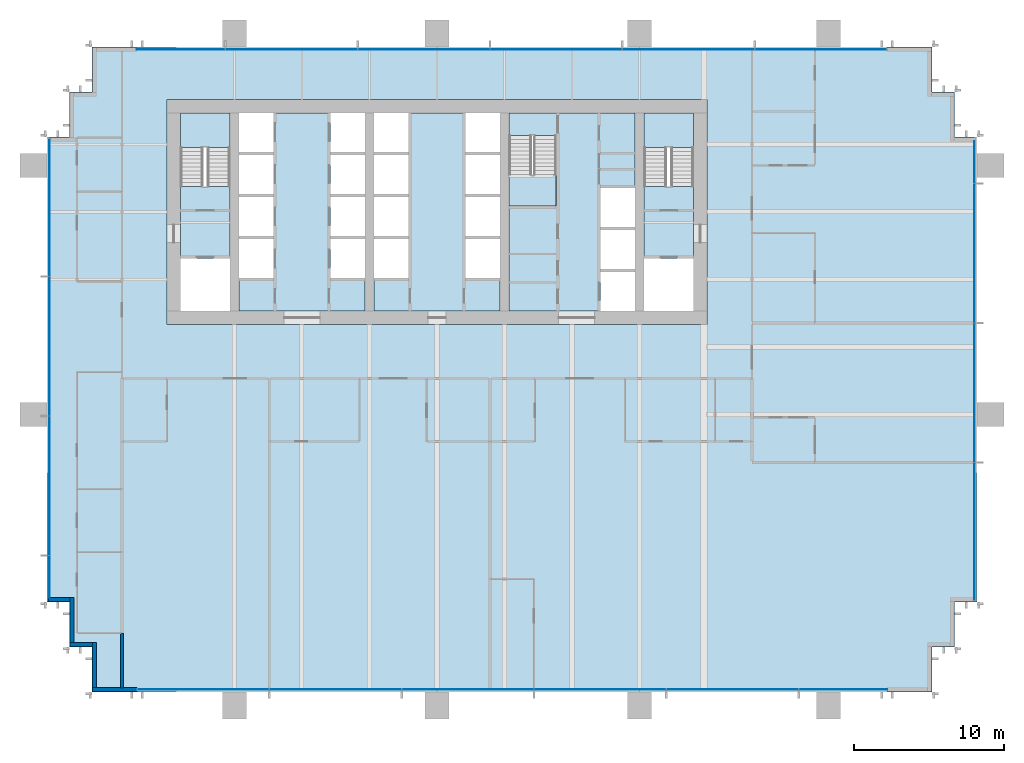
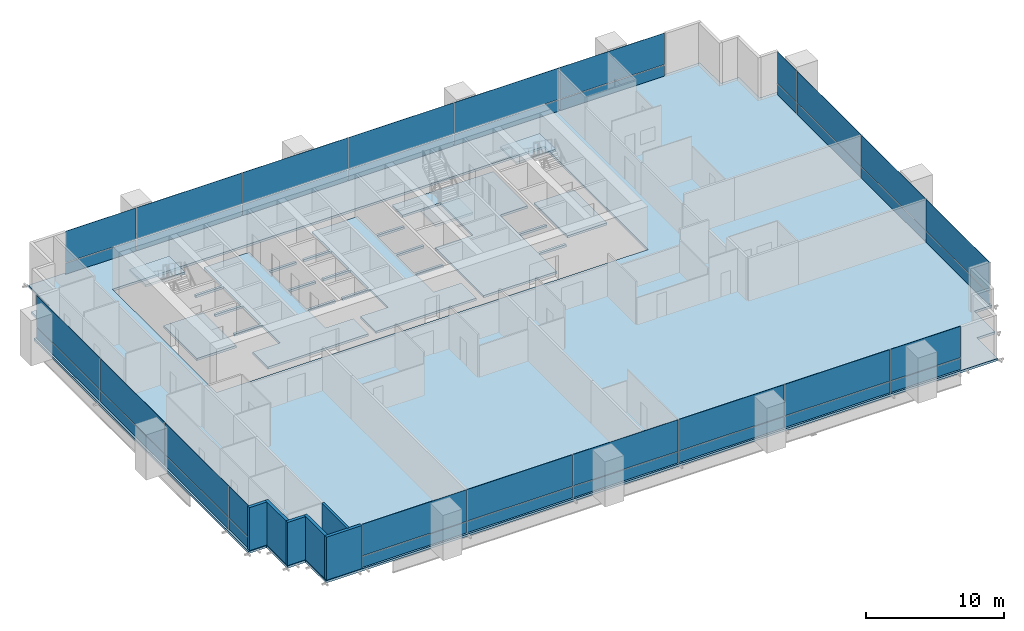
# One storey, part 11 of 17: 40 plates, 9 slabs, 6 walls, 7 elements without a shape of their own.
"""IFC4 building model written with IfcOpenShell, lengths in metres."""

import ifcopenshell
import ifcopenshell.guid

model = None  # the IFC model being written
_history = None  # IfcOwnerHistory: only IFC2X3 demands one
_inside = {}  # id of a spatial element -> (the spatial element, [elements in it])
_under = {}  # id of a project, library or spatial element -> (it, [spatial elements below it])
_declared = {}  # id of a project -> (the project, [libraries it declares])
_typed = {}  # id of a type object -> (the type object, [elements of that type])
_made_of = {}  # id of a material, layer set ... -> (it, [elements and type objects made of it])


def new_model(schema):
    """Start an empty IFC model of exactly this schema.

    Asked for "IFC4X3", IfcOpenShell would pick the latest addendum, in which some entities
    have other attributes; the version numbers below select the first issue.
    IFC2X3 requires an IfcOwnerHistory on every rooted entity: one is made here for all.
    """
    global model, _history
    if schema == "IFC4X3":
        model = ifcopenshell.file(schema_version=(4, 3, 0, 0))
    else:
        model = ifcopenshell.file(schema=schema)
    _inside.clear()
    _under.clear()
    _declared.clear()
    _typed.clear()
    _made_of.clear()
    _history = None
    if model.schema == "IFC2X3":
        org = make("IfcOrganization", Name="unknown")
        user = make(
            "IfcPersonAndOrganization",
            ThePerson=make("IfcPerson", FamilyName="unknown"),
            TheOrganization=org,
        )
        app = make(
            "IfcApplication",
            ApplicationDeveloper=org,
            Version="unknown",
            ApplicationFullName="unknown",
            ApplicationIdentifier="unknown",
        )
        _history = make(
            "IfcOwnerHistory",
            OwningUser=user,
            OwningApplication=app,
            ChangeAction="ADDED",
            CreationDate=0,
        )
    return model


def make(cls, **values):
    """One entity of the class cls with the attributes given. An attribute that is None is left unset."""
    return model.create_entity(
        cls, **{name: value for name, value in values.items() if value is not None}
    )


def rooted(cls, **values):
    """An entity with a GlobalId (a new one), such as an element, a storey or a relation."""
    return make(cls, GlobalId=ifcopenshell.guid.new(), OwnerHistory=_history, **values)


def si_unit(unit_type, name, prefix=None):
    """IfcSIUnit, for example si_unit("LENGTHUNIT", "METRE", prefix="MILLI")."""
    return make("IfcSIUnit", UnitType=unit_type, Prefix=prefix, Name=name)


def assignment(units):
    """IfcUnitAssignment: the units of a project."""
    return None if units is None else make("IfcUnitAssignment", Units=units)


def point(xyz):
    """IfcCartesianPoint."""
    return None if xyz is None else make("IfcCartesianPoint", Coordinates=xyz)


def direction(xyz):
    """IfcDirection."""
    return None if xyz is None else make("IfcDirection", DirectionRatios=xyz)


def frame(location, z_axis=None, x_axis=None):
    """IfcAxis2Placement3D, a coordinate frame: its origin and axes. An axis left out is left unset."""
    return make(
        "IfcAxis2Placement3D",
        Location=point(location),
        Axis=direction(z_axis),
        RefDirection=direction(x_axis),
    )


def frame_2d(location, x_axis=None):
    """IfcAxis2Placement2D, a coordinate frame in the plane: its origin and x axis."""
    return make(
        "IfcAxis2Placement2D", Location=point(location), RefDirection=direction(x_axis)
    )


def origin():
    """The frame at (0, 0, 0) with its axes left unset."""
    return frame((0.0, 0.0, 0.0))


def origin_2d():
    """The frame at (0, 0) in the plane with its x axis left unset."""
    return frame_2d((0.0, 0.0))


def place(relative_to, where):
    """IfcLocalPlacement: puts the frame where relative to a parent placement (None: the world)."""
    return make(
        "IfcLocalPlacement", PlacementRelTo=relative_to, RelativePlacement=where
    )


def context(
    kind, dimensions, precision=None, world=None, true_north=None, identifier=None
):
    """IfcGeometricRepresentationContext, for example the 3D "Model" context."""
    return make(
        "IfcGeometricRepresentationContext",
        ContextIdentifier=identifier,
        ContextType=kind,
        CoordinateSpaceDimension=dimensions,
        Precision=precision,
        WorldCoordinateSystem=world,
        TrueNorth=true_north,
    )


def subcontext(parent, identifier, kind, view, scale=None):
    """IfcGeometricRepresentationSubContext, for example "Body" below "Model"."""
    return make(
        "IfcGeometricRepresentationSubContext",
        ContextIdentifier=identifier,
        ContextType=kind,
        ParentContext=parent,
        TargetScale=scale,
        TargetView=view,
    )


def project(units=None, contexts=None):
    """IfcProject with its units and contexts."""
    return rooted(
        "IfcProject",
        Name="project",
        RepresentationContexts=contexts,
        UnitsInContext=assignment(units),
    )


def spatial(cls, under=None, at=None, **own):
    """A site, building, storey or space (cls), placed at a placement, below another one or the project."""
    s = rooted(cls, ObjectPlacement=at, **own)
    if under is not None:
        _under.setdefault(under.id(), (under, []))[1].append(s)
    return s


def polyline(points):
    """IfcPolyline through the points."""
    return make("IfcPolyline", Points=[point(p) for p in points])


def profile(cls, at=None, kind="AREA", **sizes):
    """A parametric profile (cls). Its sizes go by their IFC names, for example OverallWidth=200.0."""
    return make(cls, ProfileType=kind, Position=at, **sizes)


def rectangle(**sizes):
    """IfcRectangleProfileDef."""
    return profile("IfcRectangleProfileDef", **sizes)


def outline(outer, holes=None, kind="AREA"):
    """IfcArbitraryClosedProfileDef: a profile drawn as a closed curve; with holes, ...WithVoids."""
    if holes is None:
        return make("IfcArbitraryClosedProfileDef", ProfileType=kind, OuterCurve=outer)
    return make(
        "IfcArbitraryProfileDefWithVoids",
        ProfileType=kind,
        OuterCurve=outer,
        InnerCurves=holes,
    )


def extrude(swept, where, along, depth):
    """IfcExtrudedAreaSolid: the profile swept, set in the frame where, extruded along a direction by depth."""
    return make(
        "IfcExtrudedAreaSolid",
        SweptArea=swept,
        Position=where,
        ExtrudedDirection=direction(along),
        Depth=depth,
    )


def shape(context_of_items, identifier, shape_type, items):
    """IfcShapeRepresentation: the items that make up one representation, for example the "Body"."""
    return make(
        "IfcShapeRepresentation",
        ContextOfItems=context_of_items,
        RepresentationIdentifier=identifier,
        RepresentationType=shape_type,
        Items=items,
    )


def material(Name=None, Category=None):
    """IfcMaterial."""
    return make("IfcMaterial", Name=Name, Category=Category)


def layer(
    of_material, thickness, ventilated=None, Name=None, Category=None, Priority=None
):
    """IfcMaterialLayer: one layer of a wall or slab, of a material (None: an air gap)."""
    return make(
        "IfcMaterialLayer",
        Material=of_material,
        LayerThickness=thickness,
        IsVentilated=ventilated,
        Name=Name,
        Category=Category,
        Priority=Priority,
    )


def layer_set(layers, Name=None):
    """IfcMaterialLayerSet."""
    return make("IfcMaterialLayerSet", MaterialLayers=layers, LayerSetName=Name)


def made_of(thing, what):
    """Note that an element or type object is made of a material, layer set ...; save() writes the relation."""
    if what is not None:
        _made_of.setdefault(what.id(), (what, []))[1].append(thing)
    return thing


def type_object(cls, material=None, **own):
    """A type object (cls), such as IfcWallType, which elements share."""
    return made_of(rooted(cls, **own), material)


def element(
    cls,
    number,
    at=None,
    inside=None,
    cuts=None,
    type_object=None,
    material=None,
    context=None,
    identifier="Body",
    shape_type=None,
    held_by="IfcProductDefinitionShape",
    body=None,
    shapes=None,
    **own,
):
    """One element of the class cls, such as IfcWall. Its Tag is "e" and its number.

    at: its placement. inside: the storey or other place that contains it. cuts: it is an
    opening in that element (IfcRelVoidsElement). A single representation is given by context,
    identifier, shape_type and body (its items); several are given by shapes. held_by: the class
    of the entity that holds the representations. save() writes the other relations.
    """
    e = rooted(cls, Tag="e%d" % number, ObjectPlacement=at, **own)
    if body is not None:
        shapes = [shape(context, identifier, shape_type, body)]
    if shapes is not None:
        e.Representation = make(held_by, Representations=shapes)
    if inside is not None:
        _inside.setdefault(inside.id(), (inside, []))[1].append(e)
    if cuts is not None:
        rooted(
            "IfcRelVoidsElement", RelatingBuildingElement=cuts, RelatedOpeningElement=e
        )
    if type_object is not None:
        _typed.setdefault(type_object.id(), (type_object, []))[1].append(e)
    return made_of(e, material)


def aggregate(whole, parts):
    """IfcRelAggregates: a whole, such as a stair, and the parts it consists of."""
    return rooted("IfcRelAggregates", RelatingObject=whole, RelatedObjects=parts)


def save(model, path):
    """Write the relations noted so far, then the file.

    IfcRelAggregates (storeys below a building ...), IfcRelContainedInSpatialStructure (elements
    in a storey), IfcRelDefinesByType, IfcRelAssociatesMaterial and IfcRelDeclares: one each for
    every whole, place, type object, material and project.
    """
    for whole, parts in _under.values():
        aggregate(whole, parts)
    for where, things in _inside.values():
        rooted(
            "IfcRelContainedInSpatialStructure",
            RelatedElements=things,
            RelatingStructure=where,
        )
    for kind, things in _typed.values():
        rooted("IfcRelDefinesByType", RelatedObjects=things, RelatingType=kind)
    for what, things in _made_of.values():
        rooted("IfcRelAssociatesMaterial", RelatedObjects=things, RelatingMaterial=what)
    for by, libraries in _declared.values():
        rooted("IfcRelDeclares", RelatingContext=by, RelatedDefinitions=libraries)
    model.write(path)


model = new_model("IFC4")

# Units and contexts
model_context = context("Model", 3, precision=1e-05, world=origin(), true_north=direction((0.0, 1.0)))
body_context = subcontext(model_context, "Body", "Model", "MODEL_VIEW")
ifc_project = project(units=[si_unit("LENGTHUNIT", "METRE"), si_unit("AREAUNIT", "SQUARE_METRE"), si_unit("VOLUMEUNIT", "CUBIC_METRE"), si_unit("PLANEANGLEUNIT", "RADIAN"), si_unit("MASSUNIT", "GRAM", prefix="KILO")], contexts=[model_context])

# Site, building, storey
site_placement = place(None, origin())
site = spatial("IfcSite", under=ifc_project, at=site_placement, CompositionType="ELEMENT")
building_placement = place(site_placement, origin())
building = spatial("IfcBuilding", under=site, at=building_placement, Name="Rattan Terrace Tower", CompositionType="ELEMENT")
storey_placement = place(building_placement, frame((0.0, 0.0, 83.699951171875)))
storey = spatial("IfcBuildingStorey", under=building, at=storey_placement, Name="L18", CompositionType="ELEMENT", Elevation=83.699951171875)

# Stair, slab
ifc_material_1 = material(Name="Concrete C40/50", Category="concrete")
stair_type = type_object("IfcStairType", Name="Core exit stair 1500", PredefinedType="HALF_TURN_STAIR", material=ifc_material_1)
stair_1_placement = place(storey_placement, origin())
stair_1 = element("IfcStair", 1, at=stair_1_placement, inside=storey, type_object=stair_type, Name="L18 exit stair 1", PredefinedType="HALF_TURN_STAIR")
ifc_material_2 = material(Name="Concrete C40/50", Category="concrete")
ifc_layer_1 = layer(ifc_material_2, 0.199951171875)
ifc_layer_set_1 = layer_set([ifc_layer_1], Name="Core exit stair landing")
slab_type_1 = type_object("IfcSlabType", Name="Core exit stair landing", PredefinedType="LANDING", material=ifc_layer_set_1)
slab_1_placement = place(storey_placement, frame((0.0, 0.0, 1.800048828125)))
slab_1 = element("IfcSlab", 2, at=slab_1_placement, type_object=slab_type_1, Name="S1 landing 1", PredefinedType="LANDING", context=body_context, shape_type="SweptSolid", body=[
    extrude(outline(polyline([(-13.800048828125, 4.300048828125), (-13.800048828125, 6.60009765625), (-17.10009765625, 6.60009765625), (-17.10009765625, 4.300048828125), (-13.800048828125, 4.300048828125)])), origin(), (0.0, 0.0, 1.0), 0.199951171875),
])
aggregate(stair_1, [slab_1])

stair_2_placement = place(storey_placement, origin())
stair_2 = element("IfcStair", 3, at=stair_2_placement, inside=storey, type_object=stair_type, Name="L18 exit stair 2", PredefinedType="HALF_TURN_STAIR")
slab_2_placement = place(storey_placement, frame((0.0, 0.0, 1.800048828125)))
slab_2 = element("IfcSlab", 4, at=slab_2_placement, type_object=slab_type_1, Name="S2 landing 1", PredefinedType="LANDING", context=body_context, shape_type="SweptSolid", body=[
    extrude(outline(polyline([(17.10009765625, 4.300048828125), (17.10009765625, 6.60009765625), (13.800048828125, 6.60009765625), (13.800048828125, 4.300048828125), (17.10009765625, 4.300048828125)])), origin(), (0.0, 0.0, 1.0), 0.199951171875),
])
aggregate(stair_2, [slab_2])

stair_3_placement = place(storey_placement, origin())
stair_3 = element("IfcStair", 5, at=stair_3_placement, inside=storey, type_object=stair_type, Name="L18 exit stair 3", PredefinedType="HALF_TURN_STAIR")
slab_3_placement = place(storey_placement, frame((0.0, 0.0, 1.800048828125)))
slab_3 = element("IfcSlab", 6, at=slab_3_placement, type_object=slab_type_1, Name="S3 landing 1", PredefinedType="LANDING", context=body_context, shape_type="SweptSolid", body=[
    extrude(outline(polyline([(4.800048828125, 2.5), (4.800048828125, 0.39990234375), (7.949951171875, 0.39990234375), (7.949951171875, 2.5), (4.800048828125, 2.5)])), origin(), (0.0, 0.0, 1.0), 0.199951171875),
])
aggregate(stair_3, [slab_3])

# Curtain wall, plates
ifc_material_3 = material(Name="Aluminium and glass", Category="aluminium")
curtain_wall_type = type_object("IfcCurtainWallType", Name="Facade Unitised Curtain Wall", PredefinedType="NOTDEFINED", material=ifc_material_3)
curtain_wall_1_placement = place(storey_placement, origin())
curtain_wall_1 = element("IfcCurtainWall", 7, at=curtain_wall_1_placement, inside=storey, type_object=curtain_wall_type, Name="Curtain wall L18-1", PredefinedType="NOTDEFINED")
ifc_material_4 = material(Name="Aluminium insulated spandrel panel", Category="aluminium")
ifc_layer_2 = layer(ifc_material_4, 0.028076171875)
ifc_layer_set_2 = layer_set([ifc_layer_2], Name="Facade CW Spandrel Panel")
plate_type_1 = type_object("IfcPlateType", Name="Facade CW Spandrel Panel", PredefinedType="CURTAIN_PANEL", material=ifc_layer_set_2)
plate_1_placement = place(storey_placement, frame((35.830078125, -21.3125, 0.0), z_axis=(0.0, 0.0, 1.0), x_axis=(0.0, 1.0, 0.0)))
plate_1 = element("IfcPlate", 8, at=plate_1_placement, type_object=plate_type_1, Name="Panel cwl-L18-001.1.1", PredefinedType="CURTAIN_PANEL", context=body_context, shape_type="SweptSolid", body=[
    extrude(rectangle(XDim=9.1650390625, YDim=0.028076171875, at=origin_2d()), origin(), (0.0, 0.0, 1.0), 0.969970703125),
])
plate_2_placement = place(storey_placement, frame((35.830078125, -12.050048828125, 0.0), z_axis=(0.0, 0.0, 1.0), x_axis=(0.0, 1.0, 0.0)))
plate_2 = element("IfcPlate", 9, at=plate_2_placement, type_object=plate_type_1, Name="Panel cwl-L18-001.2.1", PredefinedType="CURTAIN_PANEL", context=body_context, shape_type="SweptSolid", body=[
    extrude(rectangle(XDim=9.239990234375, YDim=0.028076171875, at=origin_2d()), origin(), (0.0, 0.0, 1.0), 0.969970703125),
])
plate_3_placement = place(storey_placement, frame((35.830078125, -2.75, 0.0), z_axis=(0.0, 0.0, 1.0), x_axis=(0.0, 1.0, 0.0)))
plate_3 = element("IfcPlate", 10, at=plate_3_placement, type_object=plate_type_1, Name="Panel cwl-L18-001.3.1", PredefinedType="CURTAIN_PANEL", context=body_context, shape_type="SweptSolid", body=[
    extrude(rectangle(XDim=9.239990234375, YDim=0.028076171875, at=origin_2d()), origin(), (0.0, 0.0, 1.0), 0.969970703125),
])
plate_4_placement = place(storey_placement, frame((35.830078125, 3.3173828125, 0.0), z_axis=(0.0, 0.0, 1.0), x_axis=(0.0, 1.0, 0.0)))
plate_4 = element("IfcPlate", 11, at=plate_4_placement, type_object=plate_type_1, Name="Panel cwl-L18-001.4.1", PredefinedType="CURTAIN_PANEL", context=body_context, shape_type="SweptSolid", body=[
    extrude(rectangle(XDim=2.77490234375, YDim=0.028076171875, at=origin_2d()), origin(), (0.0, 0.0, 1.0), 0.969970703125),
])

curtain_wall_2_placement = place(storey_placement, origin())
curtain_wall_2 = element("IfcCurtainWall", 12, at=curtain_wall_2_placement, inside=storey, type_object=curtain_wall_type, Name="Curtain wall L18-2", PredefinedType="NOTDEFINED")
plate_5_placement = place(storey_placement, frame((25.573486328125, 10.830078125, 0.0), z_axis=(0.0, 0.0, 1.0), x_axis=(-1.0, 0.0, 0.0)))
plate_5 = element("IfcPlate", 13, at=plate_5_placement, type_object=plate_type_1, Name="Panel cwl-L18-002.1.1", PredefinedType="CURTAIN_PANEL", context=body_context, shape_type="SweptSolid", body=[
    extrude(rectangle(XDim=8.73291015625, YDim=0.028076171875, at=origin_2d()), origin(), (0.0, 0.0, 1.0), 0.969970703125),
])
plate_6_placement = place(storey_placement, frame((16.765380859375, 10.830078125, 0.0), z_axis=(0.0, 0.0, 1.0), x_axis=(-1.0, 0.0, 0.0)))
plate_6 = element("IfcPlate", 14, at=plate_6_placement, type_object=plate_type_1, Name="Panel cwl-L18-002.2.1", PredefinedType="CURTAIN_PANEL", context=body_context, shape_type="SweptSolid", body=[
    extrude(rectangle(XDim=8.762939453125, YDim=0.028076171875, at=origin_2d()), origin(), (0.0, 0.0, 1.0), 0.969970703125),
])
plate_7_placement = place(storey_placement, frame((7.9423828125, 10.830078125, 0.0), z_axis=(0.0, 0.0, 1.0), x_axis=(-1.0, 0.0, 0.0)))
plate_7 = element("IfcPlate", 15, at=plate_7_placement, type_object=plate_type_1, Name="Panel cwl-L18-002.3.1", PredefinedType="CURTAIN_PANEL", context=body_context, shape_type="SweptSolid", body=[
    extrude(rectangle(XDim=8.762939453125, YDim=0.028076171875, at=origin_2d()), origin(), (0.0, 0.0, 1.0), 0.969970703125),
])
plate_8_placement = place(storey_placement, frame((-0.880615234375, 10.830078125, 0.0), z_axis=(0.0, 0.0, 1.0), x_axis=(-1.0, 0.0, 0.0)))
plate_8 = element("IfcPlate", 16, at=plate_8_placement, type_object=plate_type_1, Name="Panel cwl-L18-002.4.1", PredefinedType="CURTAIN_PANEL", context=body_context, shape_type="SweptSolid", body=[
    extrude(rectangle(XDim=8.762939453125, YDim=0.028076171875, at=origin_2d()), origin(), (0.0, 0.0, 1.0), 0.969970703125),
])
plate_9_placement = place(storey_placement, frame((-9.70361328125, 10.830078125, 0.0), z_axis=(0.0, 0.0, 1.0), x_axis=(-1.0, 0.0, 0.0)))
plate_9 = element("IfcPlate", 17, at=plate_9_placement, type_object=plate_type_1, Name="Panel cwl-L18-002.5.1", PredefinedType="CURTAIN_PANEL", context=body_context, shape_type="SweptSolid", body=[
    extrude(rectangle(XDim=8.762939453125, YDim=0.028076171875, at=origin_2d()), origin(), (0.0, 0.0, 1.0), 0.969970703125),
])
plate_10_placement = place(storey_placement, frame((-17.072509765625, 10.830078125, 0.0), z_axis=(0.0, 0.0, 1.0), x_axis=(-1.0, 0.0, 0.0)))
plate_10 = element("IfcPlate", 18, at=plate_10_placement, type_object=plate_type_1, Name="Panel cwl-L18-002.6.1", PredefinedType="CURTAIN_PANEL", context=body_context, shape_type="SweptSolid", body=[
    extrude(rectangle(XDim=5.85498046875, YDim=0.028076171875, at=origin_2d()), origin(), (0.0, 0.0, 1.0), 0.969970703125),
])

curtain_wall_3_placement = place(storey_placement, origin())
curtain_wall_3 = element("IfcCurtainWall", 19, at=curtain_wall_3_placement, inside=storey, type_object=curtain_wall_type, Name="Curtain wall L18-3", PredefinedType="NOTDEFINED")
plate_11_placement = place(storey_placement, frame((-25.830078125, 0.3125, 0.0), z_axis=(0.0, 0.0, 1.0), x_axis=(0.0, -1.0, 0.0)))
plate_11 = element("IfcPlate", 20, at=plate_11_placement, type_object=plate_type_1, Name="Panel cwl-L18-003.1.1", PredefinedType="CURTAIN_PANEL", context=body_context, shape_type="SweptSolid", body=[
    extrude(rectangle(XDim=9.1650390625, YDim=0.028076171875, at=origin_2d()), origin(), (0.0, 0.0, 1.0), 0.969970703125),
])
plate_12_placement = place(storey_placement, frame((-25.830078125, -8.949951171875, 0.0), z_axis=(0.0, 0.0, 1.0), x_axis=(0.0, -1.0, 0.0)))
plate_12 = element("IfcPlate", 21, at=plate_12_placement, type_object=plate_type_1, Name="Panel cwl-L18-003.2.1", PredefinedType="CURTAIN_PANEL", context=body_context, shape_type="SweptSolid", body=[
    extrude(rectangle(XDim=9.239990234375, YDim=0.028076171875, at=origin_2d()), origin(), (0.0, 0.0, 1.0), 0.969970703125),
])
plate_13_placement = place(storey_placement, frame((-25.830078125, -18.25, 0.0), z_axis=(0.0, 0.0, 1.0), x_axis=(0.0, -1.0, 0.0)))
plate_13 = element("IfcPlate", 22, at=plate_13_placement, type_object=plate_type_1, Name="Panel cwl-L18-003.3.1", PredefinedType="CURTAIN_PANEL", context=body_context, shape_type="SweptSolid", body=[
    extrude(rectangle(XDim=9.239990234375, YDim=0.028076171875, at=origin_2d()), origin(), (0.0, 0.0, 1.0), 0.969970703125),
])
plate_14_placement = place(storey_placement, frame((-25.830078125, -24.3173828125, 0.0), z_axis=(0.0, 0.0, 1.0), x_axis=(0.0, -1.0, 0.0)))
plate_14 = element("IfcPlate", 23, at=plate_14_placement, type_object=plate_type_1, Name="Panel cwl-L18-003.4.1", PredefinedType="CURTAIN_PANEL", context=body_context, shape_type="SweptSolid", body=[
    extrude(rectangle(XDim=2.77490234375, YDim=0.028076171875, at=origin_2d()), origin(), (0.0, 0.0, 1.0), 0.969970703125),
])

curtain_wall_4_placement = place(storey_placement, origin())
curtain_wall_4 = element("IfcCurtainWall", 24, at=curtain_wall_4_placement, inside=storey, type_object=curtain_wall_type, Name="Curtain wall L18-4", PredefinedType="NOTDEFINED")
plate_15_placement = place(storey_placement, frame((-15.573486328125, -31.830078125, 0.0), z_axis=(0.0, 0.0, 1.0), x_axis=(1.0, 0.0, 0.0)))
plate_15 = element("IfcPlate", 25, at=plate_15_placement, type_object=plate_type_1, Name="Panel cwl-L18-004.1.1", PredefinedType="CURTAIN_PANEL", context=body_context, shape_type="SweptSolid", body=[
    extrude(rectangle(XDim=8.73291015625, YDim=0.028076171875, at=origin_2d()), origin(), (0.0, 0.0, 1.0), 0.969970703125),
])
plate_16_placement = place(storey_placement, frame((-6.765380859375, -31.830078125, 0.0), z_axis=(0.0, 0.0, 1.0), x_axis=(1.0, 0.0, 0.0)))
plate_16 = element("IfcPlate", 26, at=plate_16_placement, type_object=plate_type_1, Name="Panel cwl-L18-004.2.1", PredefinedType="CURTAIN_PANEL", context=body_context, shape_type="SweptSolid", body=[
    extrude(rectangle(XDim=8.762939453125, YDim=0.028076171875, at=origin_2d()), origin(), (0.0, 0.0, 1.0), 0.969970703125),
])
plate_17_placement = place(storey_placement, frame((2.0576171875, -31.830078125, 0.0), z_axis=(0.0, 0.0, 1.0), x_axis=(1.0, 0.0, 0.0)))
plate_17 = element("IfcPlate", 27, at=plate_17_placement, type_object=plate_type_1, Name="Panel cwl-L18-004.3.1", PredefinedType="CURTAIN_PANEL", context=body_context, shape_type="SweptSolid", body=[
    extrude(rectangle(XDim=8.762939453125, YDim=0.028076171875, at=origin_2d()), origin(), (0.0, 0.0, 1.0), 0.969970703125),
])
plate_18_placement = place(storey_placement, frame((10.880615234375, -31.830078125, 0.0), z_axis=(0.0, 0.0, 1.0), x_axis=(1.0, 0.0, 0.0)))
plate_18 = element("IfcPlate", 28, at=plate_18_placement, type_object=plate_type_1, Name="Panel cwl-L18-004.4.1", PredefinedType="CURTAIN_PANEL", context=body_context, shape_type="SweptSolid", body=[
    extrude(rectangle(XDim=8.762939453125, YDim=0.028076171875, at=origin_2d()), origin(), (0.0, 0.0, 1.0), 0.969970703125),
])
plate_19_placement = place(storey_placement, frame((19.70361328125, -31.830078125, 0.0), z_axis=(0.0, 0.0, 1.0), x_axis=(1.0, 0.0, 0.0)))
plate_19 = element("IfcPlate", 29, at=plate_19_placement, type_object=plate_type_1, Name="Panel cwl-L18-004.5.1", PredefinedType="CURTAIN_PANEL", context=body_context, shape_type="SweptSolid", body=[
    extrude(rectangle(XDim=8.762939453125, YDim=0.028076171875, at=origin_2d()), origin(), (0.0, 0.0, 1.0), 0.969970703125),
])
plate_20_placement = place(storey_placement, frame((27.072509765625, -31.830078125, 0.0), z_axis=(0.0, 0.0, 1.0), x_axis=(1.0, 0.0, 0.0)))
plate_20 = element("IfcPlate", 30, at=plate_20_placement, type_object=plate_type_1, Name="Panel cwl-L18-004.6.1", PredefinedType="CURTAIN_PANEL", context=body_context, shape_type="SweptSolid", body=[
    extrude(rectangle(XDim=5.85498046875, YDim=0.028076171875, at=origin_2d()), origin(), (0.0, 0.0, 1.0), 0.969970703125),
])

# Plate
ifc_material_5 = material(Name="Clear low-iron glass", Category="glass")
ifc_layer_3 = layer(ifc_material_5, 0.028076171875)
ifc_layer_set_3 = layer_set([ifc_layer_3], Name="Facade CW Vision Panel")
plate_type_2 = type_object("IfcPlateType", Name="Facade CW Vision Panel", PredefinedType="CURTAIN_PANEL", material=ifc_layer_set_3)
plate_21_placement = place(storey_placement, frame((35.830078125, -21.3125, 1.030029296875), z_axis=(0.0, 0.0, 1.0), x_axis=(0.0, 1.0, 0.0)))
plate_21 = element("IfcPlate", 31, at=plate_21_placement, type_object=plate_type_2, Name="Panel cwl-L18-001.1.2", PredefinedType="CURTAIN_PANEL", context=body_context, shape_type="SweptSolid", body=[
    extrude(rectangle(XDim=9.1650390625, YDim=0.028076171875, at=origin_2d()), origin(), (0.0, 0.0, 1.0), 2.77001953125),
])

plate_22_placement = place(storey_placement, frame((35.830078125, -12.050048828125, 1.030029296875), z_axis=(0.0, 0.0, 1.0), x_axis=(0.0, 1.0, 0.0)))
plate_22 = element("IfcPlate", 32, at=plate_22_placement, type_object=plate_type_2, Name="Panel cwl-L18-001.2.2", PredefinedType="CURTAIN_PANEL", context=body_context, shape_type="SweptSolid", body=[
    extrude(rectangle(XDim=9.239990234375, YDim=0.028076171875, at=origin_2d()), origin(), (0.0, 0.0, 1.0), 2.77001953125),
])

plate_23_placement = place(storey_placement, frame((35.830078125, -2.75, 1.030029296875), z_axis=(0.0, 0.0, 1.0), x_axis=(0.0, 1.0, 0.0)))
plate_23 = element("IfcPlate", 33, at=plate_23_placement, type_object=plate_type_2, Name="Panel cwl-L18-001.3.2", PredefinedType="CURTAIN_PANEL", context=body_context, shape_type="SweptSolid", body=[
    extrude(rectangle(XDim=9.239990234375, YDim=0.028076171875, at=origin_2d()), origin(), (0.0, 0.0, 1.0), 2.77001953125),
])

plate_24_placement = place(storey_placement, frame((35.830078125, 3.3173828125, 1.030029296875), z_axis=(0.0, 0.0, 1.0), x_axis=(0.0, 1.0, 0.0)))
plate_24 = element("IfcPlate", 34, at=plate_24_placement, type_object=plate_type_2, Name="Panel cwl-L18-001.4.2", PredefinedType="CURTAIN_PANEL", context=body_context, shape_type="SweptSolid", body=[
    extrude(rectangle(XDim=2.77490234375, YDim=0.028076171875, at=origin_2d()), origin(), (0.0, 0.0, 1.0), 2.77001953125),
])

aggregate(curtain_wall_1, [plate_1, plate_21, plate_2, plate_22, plate_3, plate_23, plate_4, plate_24])

plate_25_placement = place(storey_placement, frame((25.573486328125, 10.830078125, 1.030029296875), z_axis=(0.0, 0.0, 1.0), x_axis=(-1.0, 0.0, 0.0)))
plate_25 = element("IfcPlate", 35, at=plate_25_placement, type_object=plate_type_2, Name="Panel cwl-L18-002.1.2", PredefinedType="CURTAIN_PANEL", context=body_context, shape_type="SweptSolid", body=[
    extrude(rectangle(XDim=8.73291015625, YDim=0.028076171875, at=origin_2d()), origin(), (0.0, 0.0, 1.0), 2.77001953125),
])

plate_26_placement = place(storey_placement, frame((16.765380859375, 10.830078125, 1.030029296875), z_axis=(0.0, 0.0, 1.0), x_axis=(-1.0, 0.0, 0.0)))
plate_26 = element("IfcPlate", 36, at=plate_26_placement, type_object=plate_type_2, Name="Panel cwl-L18-002.2.2", PredefinedType="CURTAIN_PANEL", context=body_context, shape_type="SweptSolid", body=[
    extrude(rectangle(XDim=8.762939453125, YDim=0.028076171875, at=origin_2d()), origin(), (0.0, 0.0, 1.0), 2.77001953125),
])

plate_27_placement = place(storey_placement, frame((7.9423828125, 10.830078125, 1.030029296875), z_axis=(0.0, 0.0, 1.0), x_axis=(-1.0, 0.0, 0.0)))
plate_27 = element("IfcPlate", 37, at=plate_27_placement, type_object=plate_type_2, Name="Panel cwl-L18-002.3.2", PredefinedType="CURTAIN_PANEL", context=body_context, shape_type="SweptSolid", body=[
    extrude(rectangle(XDim=8.762939453125, YDim=0.028076171875, at=origin_2d()), origin(), (0.0, 0.0, 1.0), 2.77001953125),
])

plate_28_placement = place(storey_placement, frame((-0.880615234375, 10.830078125, 1.030029296875), z_axis=(0.0, 0.0, 1.0), x_axis=(-1.0, 0.0, 0.0)))
plate_28 = element("IfcPlate", 38, at=plate_28_placement, type_object=plate_type_2, Name="Panel cwl-L18-002.4.2", PredefinedType="CURTAIN_PANEL", context=body_context, shape_type="SweptSolid", body=[
    extrude(rectangle(XDim=8.762939453125, YDim=0.028076171875, at=origin_2d()), origin(), (0.0, 0.0, 1.0), 2.77001953125),
])

plate_29_placement = place(storey_placement, frame((-9.70361328125, 10.830078125, 1.030029296875), z_axis=(0.0, 0.0, 1.0), x_axis=(-1.0, 0.0, 0.0)))
plate_29 = element("IfcPlate", 39, at=plate_29_placement, type_object=plate_type_2, Name="Panel cwl-L18-002.5.2", PredefinedType="CURTAIN_PANEL", context=body_context, shape_type="SweptSolid", body=[
    extrude(rectangle(XDim=8.762939453125, YDim=0.028076171875, at=origin_2d()), origin(), (0.0, 0.0, 1.0), 2.77001953125),
])

plate_30_placement = place(storey_placement, frame((-17.072509765625, 10.830078125, 1.030029296875), z_axis=(0.0, 0.0, 1.0), x_axis=(-1.0, 0.0, 0.0)))
plate_30 = element("IfcPlate", 40, at=plate_30_placement, type_object=plate_type_2, Name="Panel cwl-L18-002.6.2", PredefinedType="CURTAIN_PANEL", context=body_context, shape_type="SweptSolid", body=[
    extrude(rectangle(XDim=5.85498046875, YDim=0.028076171875, at=origin_2d()), origin(), (0.0, 0.0, 1.0), 2.77001953125),
])

aggregate(curtain_wall_2, [plate_5, plate_25, plate_6, plate_26, plate_7, plate_27, plate_8, plate_28, plate_9, plate_29, plate_10, plate_30])

plate_31_placement = place(storey_placement, frame((-25.830078125, 0.3125, 1.030029296875), z_axis=(0.0, 0.0, 1.0), x_axis=(0.0, -1.0, 0.0)))
plate_31 = element("IfcPlate", 41, at=plate_31_placement, type_object=plate_type_2, Name="Panel cwl-L18-003.1.2", PredefinedType="CURTAIN_PANEL", context=body_context, shape_type="SweptSolid", body=[
    extrude(rectangle(XDim=9.1650390625, YDim=0.028076171875, at=origin_2d()), origin(), (0.0, 0.0, 1.0), 2.77001953125),
])

plate_32_placement = place(storey_placement, frame((-25.830078125, -8.949951171875, 1.030029296875), z_axis=(0.0, 0.0, 1.0), x_axis=(0.0, -1.0, 0.0)))
plate_32 = element("IfcPlate", 42, at=plate_32_placement, type_object=plate_type_2, Name="Panel cwl-L18-003.2.2", PredefinedType="CURTAIN_PANEL", context=body_context, shape_type="SweptSolid", body=[
    extrude(rectangle(XDim=9.239990234375, YDim=0.028076171875, at=origin_2d()), origin(), (0.0, 0.0, 1.0), 2.77001953125),
])

plate_33_placement = place(storey_placement, frame((-25.830078125, -18.25, 1.030029296875), z_axis=(0.0, 0.0, 1.0), x_axis=(0.0, -1.0, 0.0)))
plate_33 = element("IfcPlate", 43, at=plate_33_placement, type_object=plate_type_2, Name="Panel cwl-L18-003.3.2", PredefinedType="CURTAIN_PANEL", context=body_context, shape_type="SweptSolid", body=[
    extrude(rectangle(XDim=9.239990234375, YDim=0.028076171875, at=origin_2d()), origin(), (0.0, 0.0, 1.0), 2.77001953125),
])

plate_34_placement = place(storey_placement, frame((-25.830078125, -24.3173828125, 1.030029296875), z_axis=(0.0, 0.0, 1.0), x_axis=(0.0, -1.0, 0.0)))
plate_34 = element("IfcPlate", 44, at=plate_34_placement, type_object=plate_type_2, Name="Panel cwl-L18-003.4.2", PredefinedType="CURTAIN_PANEL", context=body_context, shape_type="SweptSolid", body=[
    extrude(rectangle(XDim=2.77490234375, YDim=0.028076171875, at=origin_2d()), origin(), (0.0, 0.0, 1.0), 2.77001953125),
])

aggregate(curtain_wall_3, [plate_11, plate_31, plate_12, plate_32, plate_13, plate_33, plate_14, plate_34])

plate_35_placement = place(storey_placement, frame((-15.573486328125, -31.830078125, 1.030029296875), z_axis=(0.0, 0.0, 1.0), x_axis=(1.0, 0.0, 0.0)))
plate_35 = element("IfcPlate", 45, at=plate_35_placement, type_object=plate_type_2, Name="Panel cwl-L18-004.1.2", PredefinedType="CURTAIN_PANEL", context=body_context, shape_type="SweptSolid", body=[
    extrude(rectangle(XDim=8.73291015625, YDim=0.028076171875, at=origin_2d()), origin(), (0.0, 0.0, 1.0), 2.77001953125),
])

plate_36_placement = place(storey_placement, frame((-6.765380859375, -31.830078125, 1.030029296875), z_axis=(0.0, 0.0, 1.0), x_axis=(1.0, 0.0, 0.0)))
plate_36 = element("IfcPlate", 46, at=plate_36_placement, type_object=plate_type_2, Name="Panel cwl-L18-004.2.2", PredefinedType="CURTAIN_PANEL", context=body_context, shape_type="SweptSolid", body=[
    extrude(rectangle(XDim=8.762939453125, YDim=0.028076171875, at=origin_2d()), origin(), (0.0, 0.0, 1.0), 2.77001953125),
])

plate_37_placement = place(storey_placement, frame((2.0576171875, -31.830078125, 1.030029296875), z_axis=(0.0, 0.0, 1.0), x_axis=(1.0, 0.0, 0.0)))
plate_37 = element("IfcPlate", 47, at=plate_37_placement, type_object=plate_type_2, Name="Panel cwl-L18-004.3.2", PredefinedType="CURTAIN_PANEL", context=body_context, shape_type="SweptSolid", body=[
    extrude(rectangle(XDim=8.762939453125, YDim=0.028076171875, at=origin_2d()), origin(), (0.0, 0.0, 1.0), 2.77001953125),
])

plate_38_placement = place(storey_placement, frame((10.880615234375, -31.830078125, 1.030029296875), z_axis=(0.0, 0.0, 1.0), x_axis=(1.0, 0.0, 0.0)))
plate_38 = element("IfcPlate", 48, at=plate_38_placement, type_object=plate_type_2, Name="Panel cwl-L18-004.4.2", PredefinedType="CURTAIN_PANEL", context=body_context, shape_type="SweptSolid", body=[
    extrude(rectangle(XDim=8.762939453125, YDim=0.028076171875, at=origin_2d()), origin(), (0.0, 0.0, 1.0), 2.77001953125),
])

plate_39_placement = place(storey_placement, frame((19.70361328125, -31.830078125, 1.030029296875), z_axis=(0.0, 0.0, 1.0), x_axis=(1.0, 0.0, 0.0)))
plate_39 = element("IfcPlate", 49, at=plate_39_placement, type_object=plate_type_2, Name="Panel cwl-L18-004.5.2", PredefinedType="CURTAIN_PANEL", context=body_context, shape_type="SweptSolid", body=[
    extrude(rectangle(XDim=8.762939453125, YDim=0.028076171875, at=origin_2d()), origin(), (0.0, 0.0, 1.0), 2.77001953125),
])

plate_40_placement = place(storey_placement, frame((27.072509765625, -31.830078125, 1.030029296875), z_axis=(0.0, 0.0, 1.0), x_axis=(1.0, 0.0, 0.0)))
plate_40 = element("IfcPlate", 50, at=plate_40_placement, type_object=plate_type_2, Name="Panel cwl-L18-004.6.2", PredefinedType="CURTAIN_PANEL", context=body_context, shape_type="SweptSolid", body=[
    extrude(rectangle(XDim=5.85498046875, YDim=0.028076171875, at=origin_2d()), origin(), (0.0, 0.0, 1.0), 2.77001953125),
])

aggregate(curtain_wall_4, [plate_15, plate_35, plate_16, plate_36, plate_17, plate_37, plate_18, plate_38, plate_19, plate_39, plate_20, plate_40])

# Slabs
ifc_material_6 = material(Name="Concrete C35/45", Category="concrete")
ifc_layer_4 = layer(ifc_material_6, 0.199951171875)
ifc_layer_set_4 = layer_set([ifc_layer_4], Name="Frame composite floor slab 200")
slab_type_2 = type_object("IfcSlabType", Name="Frame composite floor slab 200", PredefinedType="FLOOR", material=ifc_layer_set_4)
slab_4_placement = place(storey_placement, frame((0.0, 0.0, -0.199951171875)))
element("IfcSlab", 51, at=slab_4_placement, inside=storey, type_object=slab_type_2, Name="Floor slab", PredefinedType="FLOOR", context=body_context, shape_type="SweptSolid", body=[
    extrude(outline(polyline([(-20.0, -32.0), (30.0, -32.0), (33.0, -32.0), (33.0, -29.0), (34.5, -29.0), (34.5, -26.0), (36.0, -26.0), (36.0, 5.0), (34.5, 5.0), (34.5, 8.0), (33.0, 8.0), (33.0, 11.0), (30.0, 11.0), (-20.0, 11.0), (-23.0, 11.0), (-23.0, 8.0), (-24.5, 8.0), (-24.5, 5.0), (-26.0, 5.0), (-26.0, -26.0), (-24.5, -26.0), (-24.5, -29.0), (-23.0, -29.0), (-23.0, -32.0), (-20.0, -32.0)]), holes=[polyline([(-18.0, -6.60009765625), (-18.0, -7.5), (18.0, -7.5), (18.0, -6.60009765625), (18.0, 6.60009765625), (18.0, 7.5), (-18.0, 7.5), (-18.0, 6.60009765625), (-18.0, -6.60009765625)])]), origin(), (0.0, 0.0, 1.0), 0.199951171875),
])
slab_5_placement = place(storey_placement, frame((0.0, 0.0, -0.199951171875)))
element("IfcSlab", 52, at=slab_5_placement, inside=storey, type_object=slab_type_2, Name="Floor slab", PredefinedType="FLOOR", context=body_context, shape_type="SweptSolid", body=[
    extrude(outline(polyline([(-10.89990234375, 6.60009765625), (-10.89990234375, 4.0), (-13.199951171875, 4.0), (-13.199951171875, 3.800048828125), (-10.89990234375, 3.800048828125), (-10.89990234375, 1.199951171875), (-13.199951171875, 1.199951171875), (-13.199951171875, 1.0), (-10.89990234375, 1.0), (-10.89990234375, -1.60009765625), (-13.199951171875, -1.60009765625), (-13.199951171875, -1.800048828125), (-10.89990234375, -1.800048828125), (-10.89990234375, -4.39990234375), (-13.199951171875, -4.39990234375), (-13.199951171875, -6.60009765625), (-4.800048828125, -6.60009765625), (-4.800048828125, -4.39990234375), (-7.10009765625, -4.39990234375), (-7.10009765625, -1.800048828125), (-4.800048828125, -1.800048828125), (-4.800048828125, -1.60009765625), (-7.10009765625, -1.60009765625), (-7.10009765625, 1.0), (-4.800048828125, 1.0), (-4.800048828125, 1.199951171875), (-7.10009765625, 1.199951171875), (-7.10009765625, 3.800048828125), (-4.800048828125, 3.800048828125), (-4.800048828125, 4.0), (-7.10009765625, 4.0), (-7.10009765625, 6.60009765625), (-10.89990234375, 6.60009765625)])), origin(), (0.0, 0.0, 1.0), 0.199951171875),
])
slab_6_placement = place(storey_placement, frame((0.0, 0.0, -0.199951171875)))
element("IfcSlab", 53, at=slab_6_placement, inside=storey, type_object=slab_type_2, Name="Floor slab", PredefinedType="FLOOR", context=body_context, shape_type="SweptSolid", body=[
    extrude(outline(polyline([(-17.10009765625, -3.10009765625), (-13.800048828125, -3.10009765625), (-13.800048828125, 1.7099609375), (-17.10009765625, 1.7099609375), (-17.10009765625, -3.10009765625)])), origin(), (0.0, 0.0, 1.0), 0.199951171875),
])
slab_7_placement = place(storey_placement, frame((0.0, 0.0, -0.199951171875)))
element("IfcSlab", 54, at=slab_7_placement, inside=storey, type_object=slab_type_2, Name="Floor slab", PredefinedType="FLOOR", context=body_context, shape_type="SweptSolid", body=[
    extrude(outline(polyline([(-4.199951171875, 4.0), (-4.199951171875, 3.800048828125), (-1.89990234375, 3.800048828125), (-1.89990234375, 1.199951171875), (-4.199951171875, 1.199951171875), (-4.199951171875, 1.0), (-1.89990234375, 1.0), (-1.89990234375, -1.60009765625), (-4.199951171875, -1.60009765625), (-4.199951171875, -1.800048828125), (-1.89990234375, -1.800048828125), (-1.89990234375, -4.39990234375), (-4.199951171875, -4.39990234375), (-4.199951171875, -6.60009765625), (4.199951171875, -6.60009765625), (4.199951171875, -4.39990234375), (1.89990234375, -4.39990234375), (1.89990234375, -1.800048828125), (4.199951171875, -1.800048828125), (4.199951171875, -1.60009765625), (1.89990234375, -1.60009765625), (1.89990234375, 1.0), (4.199951171875, 1.0), (4.199951171875, 1.199951171875), (1.89990234375, 1.199951171875), (1.89990234375, 3.800048828125), (4.199951171875, 3.800048828125), (4.199951171875, 4.0), (1.89990234375, 4.0), (1.89990234375, 6.60009765625), (-1.89990234375, 6.60009765625), (-1.89990234375, 4.0), (-4.199951171875, 4.0)])), origin(), (0.0, 0.0, 1.0), 0.199951171875),
])
slab_8_placement = place(storey_placement, frame((0.0, 0.0, -0.199951171875)))
element("IfcSlab", 55, at=slab_8_placement, inside=storey, type_object=slab_type_2, Name="Floor slab", PredefinedType="FLOOR", context=body_context, shape_type="SweptSolid", body=[
    extrude(outline(polyline([(4.800048828125, 5.090087890625), (7.949951171875, 5.090087890625), (7.949951171875, 0.39990234375), (4.800048828125, 0.39990234375), (4.800048828125, -6.60009765625), (10.89990234375, -6.60009765625), (10.89990234375, -4.0), (13.199951171875, -4.0), (13.199951171875, -3.800048828125), (10.89990234375, -3.800048828125), (10.89990234375, -1.199951171875), (13.199951171875, -1.199951171875), (13.199951171875, -1.0), (10.89990234375, -1.0), (10.89990234375, 1.60009765625), (13.199951171875, 1.60009765625), (13.199951171875, 6.60009765625), (4.800048828125, 6.60009765625), (4.800048828125, 5.090087890625)])), origin(), (0.0, 0.0, 1.0), 0.199951171875),
])
slab_9_placement = place(storey_placement, frame((0.0, 0.0, -0.199951171875)))
element("IfcSlab", 56, at=slab_9_placement, inside=storey, type_object=slab_type_2, Name="Floor slab", PredefinedType="FLOOR", context=body_context, shape_type="SweptSolid", body=[
    extrude(outline(polyline([(13.800048828125, -3.10009765625), (17.10009765625, -3.10009765625), (17.10009765625, 1.7099609375), (13.800048828125, 1.7099609375), (13.800048828125, -3.10009765625)])), origin(), (0.0, 0.0, 1.0), 0.199951171875),
])

# Walls
ifc_material_7 = material(Name="Insulated aluminium-clad stud wall", Category="aluminium")
ifc_layer_5 = layer(ifc_material_7, 0.25)
ifc_layer_set_5 = layer_set([ifc_layer_5], Name="Facade Riser Wall 250")
wall_type_1 = type_object("IfcWallType", Name="Facade Riser Wall 250", PredefinedType="SOLIDWALL", material=ifc_layer_set_5)
wall_1_placement = place(storey_placement, frame((-25.909912109375, -25.830078125, 0.0), z_axis=(0.0, 0.0, 1.0), x_axis=(1.0, 0.0, 0.0)))
element("IfcWall", 57, at=wall_1_placement, inside=storey, type_object=wall_type_1, Name="Riser wall L18-16", PredefinedType="SOLIDWALL", context=body_context, shape_type="SweptSolid", body=[
    extrude(rectangle(XDim=1.454833984375, YDim=0.25, at=frame_2d((0.7275390625, 0.0))), origin(), (0.0, 0.0, 1.0), 3.800048828125),
])
wall_2_placement = place(storey_placement, frame((-24.330078125, -25.705078125, 0.0), z_axis=(0.0, 0.0, 1.0), x_axis=(0.0, -1.0, 0.0)))
element("IfcWall", 58, at=wall_2_placement, inside=storey, type_object=wall_type_1, Name="Riser wall L18-17", PredefinedType="SOLIDWALL", context=body_context, shape_type="SweptSolid", body=[
    extrude(rectangle(XDim=3.0, YDim=0.25, at=frame_2d((1.5, 0.0))), origin(), (0.0, 0.0, 1.0), 3.800048828125),
])
wall_3_placement = place(storey_placement, frame((-24.455078125, -28.830078125, 0.0), z_axis=(0.0, 0.0, 1.0), x_axis=(1.0, 0.0, 0.0)))
element("IfcWall", 59, at=wall_3_placement, inside=storey, type_object=wall_type_1, Name="Riser wall L18-18", PredefinedType="SOLIDWALL", context=body_context, shape_type="SweptSolid", body=[
    extrude(rectangle(XDim=1.5, YDim=0.25, at=frame_2d((0.75, 0.0))), origin(), (0.0, 0.0, 1.0), 3.800048828125),
])
wall_4_placement = place(storey_placement, frame((-22.830078125, -28.705078125, 0.0), z_axis=(0.0, 0.0, 1.0), x_axis=(0.0, -1.0, 0.0)))
element("IfcWall", 60, at=wall_4_placement, inside=storey, type_object=wall_type_1, Name="Riser wall L18-19", PredefinedType="SOLIDWALL", context=body_context, shape_type="SweptSolid", body=[
    extrude(rectangle(XDim=3.0, YDim=0.25, at=frame_2d((1.5, 0.0))), origin(), (0.0, 0.0, 1.0), 3.800048828125),
])
wall_5_placement = place(storey_placement, frame((-22.955078125, -31.830078125, 0.0), z_axis=(0.0, 0.0, 1.0), x_axis=(1.0, 0.0, 0.0)))
element("IfcWall", 61, at=wall_5_placement, inside=storey, type_object=wall_type_1, Name="Riser wall L18-20", PredefinedType="SOLIDWALL", context=body_context, shape_type="SweptSolid", body=[
    extrude(rectangle(XDim=2.955078125, YDim=0.25, at=frame_2d((1.4775390625, 0.0))), origin(), (0.0, 0.0, 1.0), 3.800048828125),
])
ifc_material_8 = material(Name="Double steel stud acoustic partition, gypsum board, mineral wool, fire rated", Category="steel")
ifc_layer_6 = layer(ifc_material_8, 0.179931640625)
ifc_layer_set_6 = layer_set([ifc_layer_6], Name="Floors Acoustic Party Wall 180")
wall_type_2 = type_object("IfcWallType", Name="Floors Acoustic Party Wall 180", PredefinedType="PARTITIONING", material=ifc_layer_set_6)
wall_6_placement = place(storey_placement, frame((-21.0, -28.06005859375, 0.0), z_axis=(0.0, 0.0, 1.0), x_axis=(0.0, -1.0, 0.0)))
element("IfcWall", 62, at=wall_6_placement, inside=storey, type_object=wall_type_2, Name="pt-L18-029", PredefinedType="PARTITIONING", context=body_context, shape_type="SweptSolid", body=[
    extrude(rectangle(XDim=3.679931640625, YDim=0.179931640625, at=frame_2d((1.83984375, 0.0))), origin(), (0.0, 0.0, 1.0), 3.800048828125),
])

save(model, "model.ifc")
